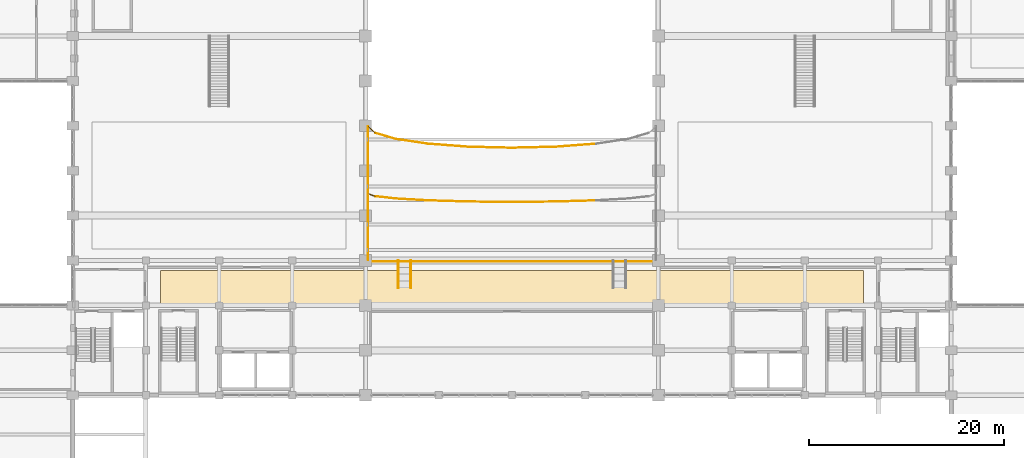
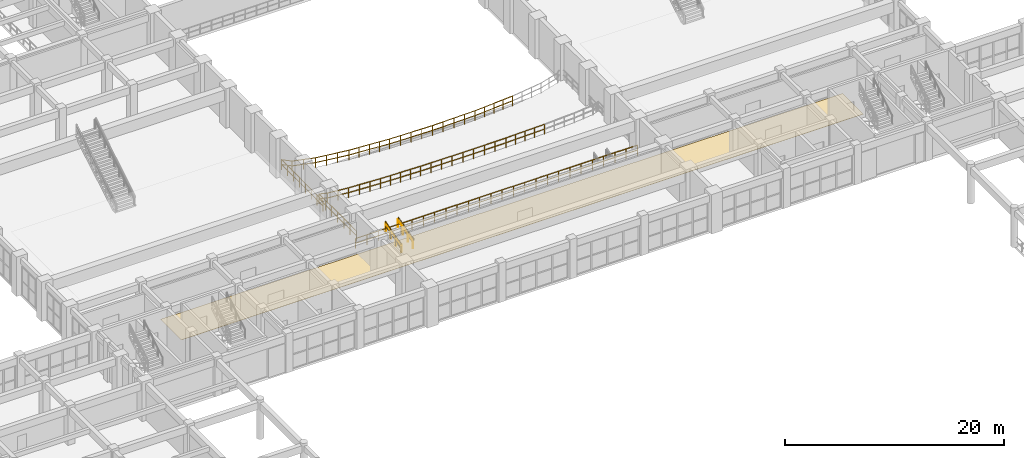
# One storey, part 109 of 116: 21 railings, 1 covering.
"""IFC4 building model written with IfcOpenShell, lengths in metres."""

from ifc_helpers import new_model, si_unit, direction, frame, origin, origin_2d, place, context, subcontext, project, spatial, polyline, circle, outline, extrude, material, layer, layer_set, type_object, element, save


model = new_model("IFC4")

# Units and contexts
model_context = context("Model", 3, precision=1e-05, world=origin(), true_north=direction((0.0, 1.0)))
body_context = subcontext(model_context, "Body", "Model", "MODEL_VIEW")
ifc_project = project(units=[si_unit("LENGTHUNIT", "METRE"), si_unit("AREAUNIT", "SQUARE_METRE"), si_unit("VOLUMEUNIT", "CUBIC_METRE"), si_unit("PLANEANGLEUNIT", "RADIAN"), si_unit("MASSUNIT", "GRAM", prefix="KILO")], contexts=[model_context])

# Site, building, storey
site_placement = place(None, origin())
site = spatial("IfcSite", under=ifc_project, at=site_placement, CompositionType="ELEMENT")
building_placement = place(site_placement, origin())
building = spatial("IfcBuilding", under=site, at=building_placement, Name="Muzn Square Opera House", CompositionType="ELEMENT")
storey_placement = place(building_placement, frame((0.0, 0.0, 5.39990234375)))
storey = spatial("IfcBuildingStorey", under=building, at=storey_placement, Name="L01", CompositionType="ELEMENT", Elevation=5.39990234375)

# Railings
ifc_material_1 = material(Name="Architectural bronze mashrabiya", Category="metal")
railing_type_1 = type_object("IfcRailingType", Name="Bronze Protective Balustrade 1120mm", PredefinedType="BALUSTRADE", material=ifc_material_1)
railing_1_placement = place(storey_placement, frame((73.1298828125, 35.719970703125, 0.0)))
element("IfcRailing", 1, at=railing_1_placement, inside=storey, type_object=railing_type_1, Name="Void Edge Balustrade L01-0009", PredefinedType="BALUSTRADE", context=body_context, shape_type="SweptSolid", body=[
    extrude(circle(Radius=0.02392578125, at=origin_2d()), frame((0.0, 0.0, 1.09619140625), z_axis=(1.0, 0.0, 0.0), x_axis=(0.0, 1.0, 0.0)), (0.0, 0.0, 1.0), 29.740234375),
    extrude(circle(Radius=0.02392578125, at=origin_2d()), frame((0.0, 0.0, 0.56005859375), z_axis=(1.0, 0.0, 0.0), x_axis=(0.0, 1.0, 0.0)), (0.0, 0.0, 1.0), 29.740234375),
    extrude(circle(Radius=0.02099609375, at=origin_2d()), origin(), (0.0, 0.0, 1.0), 1.072021484375),
    extrude(circle(Radius=0.02099609375, at=origin_2d()), frame((1.189697265625, 0.0, 0.0)), (0.0, 0.0, 1.0), 1.072021484375),
    extrude(circle(Radius=0.02099609375, at=origin_2d()), frame((2.379150390625, 0.0, 0.0)), (0.0, 0.0, 1.0), 1.072021484375),
    extrude(circle(Radius=0.02099609375, at=origin_2d()), frame((3.56884765625, 0.0, 0.0)), (0.0, 0.0, 1.0), 1.072021484375),
    extrude(circle(Radius=0.02099609375, at=origin_2d()), frame((4.758544921875, 0.0, 0.0)), (0.0, 0.0, 1.0), 1.072021484375),
    extrude(circle(Radius=0.02099609375, at=origin_2d()), frame((5.947998046875, 0.0, 0.0)), (0.0, 0.0, 1.0), 1.072021484375),
    extrude(circle(Radius=0.02099609375, at=origin_2d()), frame((7.1376953125, 0.0, 0.0)), (0.0, 0.0, 1.0), 1.072021484375),
    extrude(circle(Radius=0.02099609375, at=origin_2d()), frame((8.3271484375, 0.0, 0.0)), (0.0, 0.0, 1.0), 1.072021484375),
    extrude(circle(Radius=0.02099609375, at=origin_2d()), frame((9.516845703125, 0.0, 0.0)), (0.0, 0.0, 1.0), 1.072021484375),
    extrude(circle(Radius=0.02099609375, at=origin_2d()), frame((10.70654296875, 0.0, 0.0)), (0.0, 0.0, 1.0), 1.072021484375),
    extrude(circle(Radius=0.02099609375, at=origin_2d()), frame((11.89599609375, 0.0, 0.0)), (0.0, 0.0, 1.0), 1.072021484375),
    extrude(circle(Radius=0.02099609375, at=origin_2d()), frame((13.085693359375, 0.0, 0.0)), (0.0, 0.0, 1.0), 1.072021484375),
    extrude(circle(Radius=0.02099609375, at=origin_2d()), frame((14.275390625, 0.0, 0.0)), (0.0, 0.0, 1.0), 1.072021484375),
    extrude(circle(Radius=0.02099609375, at=origin_2d()), frame((15.46484375, 0.0, 0.0)), (0.0, 0.0, 1.0), 1.072021484375),
    extrude(circle(Radius=0.02099609375, at=origin_2d()), frame((16.654541015625, 0.0, 0.0)), (0.0, 0.0, 1.0), 1.072021484375),
    extrude(circle(Radius=0.02099609375, at=origin_2d()), frame((17.84423828125, 0.0, 0.0)), (0.0, 0.0, 1.0), 1.072021484375),
    extrude(circle(Radius=0.02099609375, at=origin_2d()), frame((19.03369140625, 0.0, 0.0)), (0.0, 0.0, 1.0), 1.072021484375),
    extrude(circle(Radius=0.02099609375, at=origin_2d()), frame((20.223388671875, 0.0, 0.0)), (0.0, 0.0, 1.0), 1.072021484375),
    extrude(circle(Radius=0.02099609375, at=origin_2d()), frame((21.4130859375, 0.0, 0.0)), (0.0, 0.0, 1.0), 1.072021484375),
    extrude(circle(Radius=0.02099609375, at=origin_2d()), frame((22.6025390625, 0.0, 0.0)), (0.0, 0.0, 1.0), 1.072021484375),
    extrude(circle(Radius=0.02099609375, at=origin_2d()), frame((23.792236328125, 0.0, 0.0)), (0.0, 0.0, 1.0), 1.072021484375),
    extrude(circle(Radius=0.02099609375, at=origin_2d()), frame((24.981689453125, 0.0, 0.0)), (0.0, 0.0, 1.0), 1.072021484375),
    extrude(circle(Radius=0.02099609375, at=origin_2d()), frame((26.17138671875, 0.0, 0.0)), (0.0, 0.0, 1.0), 1.072021484375),
    extrude(circle(Radius=0.02099609375, at=origin_2d()), frame((27.361083984375, 0.0, 0.0)), (0.0, 0.0, 1.0), 1.072021484375),
    extrude(circle(Radius=0.02099609375, at=origin_2d()), frame((28.550537109375, 0.0, 0.0)), (0.0, 0.0, 1.0), 1.072021484375),
    extrude(circle(Radius=0.02099609375, at=origin_2d()), frame((29.740234375, 0.0, 0.0)), (0.0, 0.0, 1.0), 1.072021484375),
])
railing_2_placement = place(storey_placement, frame((96.63330078125, 41.952392578125, 0.72021484375)))
element("IfcRailing", 2, at=railing_2_placement, inside=storey, type_object=railing_type_1, Name="Auditorium Balcony Tier Front Balustrade L01-0099", PredefinedType="BALUSTRADE", context=body_context, shape_type="SweptSolid", body=[
    extrude(circle(Radius=0.02392578125, at=origin_2d()), frame((0.0, 0.0, 1.09619140625), z_axis=(-0.999570665648, -0.029299904038, 0.0), x_axis=(0.029299904038, -0.999570665648, 0.0)), (0.0, 0.0, 1.0), 4.12451171875),
    extrude(circle(Radius=0.02392578125, at=origin_2d()), frame((0.0, 0.0, 0.56005859375), z_axis=(-0.999570665648, -0.029299904038, 0.0), x_axis=(0.029299904038, -0.999570665648, 0.0)), (0.0, 0.0, 1.0), 4.12451171875),
    extrude(circle(Radius=0.02099609375, at=origin_2d()), origin(), (0.0, 0.0, 1.0), 1.072021484375),
    extrude(circle(Radius=0.02099609375, at=origin_2d()), frame((-1.03076171875, -0.0302734375, 0.0)), (0.0, 0.0, 1.0), 1.072021484375),
    extrude(circle(Radius=0.02099609375, at=origin_2d()), frame((-2.0615234375, -0.060546875, 0.0)), (0.0, 0.0, 1.0), 1.072021484375),
    extrude(circle(Radius=0.02099609375, at=origin_2d()), frame((-3.092041015625, -0.090576171875, 0.0)), (0.0, 0.0, 1.0), 1.072021484375),
    extrude(circle(Radius=0.02099609375, at=origin_2d()), frame((-4.122802734375, -0.120849609375, 0.0)), (0.0, 0.0, 1.0), 1.072021484375),
])
railing_3_placement = place(storey_placement, frame((92.510498046875, 41.83154296875, 0.72021484375)))
element("IfcRailing", 3, at=railing_3_placement, inside=storey, type_object=railing_type_1, Name="Auditorium Balcony Tier Front Balustrade L01-0100", PredefinedType="BALUSTRADE", context=body_context, shape_type="SweptSolid", body=[
    extrude(circle(Radius=0.02392578125, at=origin_2d()), frame((0.0, 0.0, 1.09619140625), z_axis=(-0.999958772889, -0.009080337129, 0.0), x_axis=(0.009080337129, -0.999958772889, 0.0)), (0.0, 0.0, 1.0), 4.57080078125),
    extrude(circle(Radius=0.02392578125, at=origin_2d()), frame((0.0, 0.0, 0.56005859375), z_axis=(-0.999958772889, -0.009080337129, 0.0), x_axis=(0.009080337129, -0.999958772889, 0.0)), (0.0, 0.0, 1.0), 4.57080078125),
    extrude(circle(Radius=0.02099609375, at=origin_2d()), origin(), (0.0, 0.0, 1.0), 1.072021484375),
    extrude(circle(Radius=0.02099609375, at=origin_2d()), frame((-1.142578125, -0.01025390625, 0.0)), (0.0, 0.0, 1.0), 1.072021484375),
    extrude(circle(Radius=0.02099609375, at=origin_2d()), frame((-2.28515625, -0.020751953125, 0.0)), (0.0, 0.0, 1.0), 1.072021484375),
    extrude(circle(Radius=0.02099609375, at=origin_2d()), frame((-3.427978515625, -0.03125, 0.0)), (0.0, 0.0, 1.0), 1.072021484375),
    extrude(circle(Radius=0.02099609375, at=origin_2d()), frame((-4.570556640625, -0.04150390625, 0.0)), (0.0, 0.0, 1.0), 1.072021484375),
])
railing_4_placement = place(storey_placement, frame((87.93994140625, 41.7900390625, 0.72021484375)))
element("IfcRailing", 4, at=railing_4_placement, inside=storey, type_object=railing_type_1, Name="Auditorium Balcony Tier Front Balustrade L01-0101", PredefinedType="BALUSTRADE", context=body_context, shape_type="SweptSolid", body=[
    extrude(circle(Radius=0.02392578125, at=origin_2d()), frame((0.0, 0.0, 1.09619140625), z_axis=(-0.999956517568, 0.009325394042, 0.0), x_axis=(-0.009325394042, -0.999956517568, 0.0)), (0.0, 0.0, 1.0), 4.45068359375),
    extrude(circle(Radius=0.02392578125, at=origin_2d()), frame((0.0, 0.0, 0.56005859375), z_axis=(-0.999956517568, 0.009325394042, 0.0), x_axis=(-0.009325394042, -0.999956517568, 0.0)), (0.0, 0.0, 1.0), 4.45068359375),
    extrude(circle(Radius=0.02099609375, at=origin_2d()), origin(), (0.0, 0.0, 1.0), 1.072021484375),
    extrude(circle(Radius=0.02099609375, at=origin_2d()), frame((-1.112548828125, 0.01025390625, 0.0)), (0.0, 0.0, 1.0), 1.072021484375),
    extrude(circle(Radius=0.02099609375, at=origin_2d()), frame((-2.22509765625, 0.020751953125, 0.0)), (0.0, 0.0, 1.0), 1.072021484375),
    extrude(circle(Radius=0.02099609375, at=origin_2d()), frame((-3.337890625, 0.03125, 0.0)), (0.0, 0.0, 1.0), 1.072021484375),
    extrude(circle(Radius=0.02099609375, at=origin_2d()), frame((-4.450439453125, 0.04150390625, 0.0)), (0.0, 0.0, 1.0), 1.072021484375),
])
railing_5_placement = place(storey_placement, frame((83.489501953125, 41.83154296875, 0.72021484375)))
element("IfcRailing", 5, at=railing_5_placement, inside=storey, type_object=railing_type_1, Name="Auditorium Balcony Tier Front Balustrade L01-0102", PredefinedType="BALUSTRADE", context=body_context, shape_type="SweptSolid", body=[
    extrude(circle(Radius=0.02392578125, at=origin_2d()), frame((0.0, 0.0, 1.09619140625), z_axis=(-0.999570665648, 0.029299904038, 0.0), x_axis=(-0.029299904038, -0.999570665648, 0.0)), (0.0, 0.0, 1.0), 4.12451171875),
    extrude(circle(Radius=0.02392578125, at=origin_2d()), frame((0.0, 0.0, 0.56005859375), z_axis=(-0.999570665648, 0.029299904038, 0.0), x_axis=(-0.029299904038, -0.999570665648, 0.0)), (0.0, 0.0, 1.0), 4.12451171875),
    extrude(circle(Radius=0.02099609375, at=origin_2d()), origin(), (0.0, 0.0, 1.0), 1.072021484375),
    extrude(circle(Radius=0.02099609375, at=origin_2d()), frame((-1.03076171875, 0.0302734375, 0.0)), (0.0, 0.0, 1.0), 1.072021484375),
    extrude(circle(Radius=0.02099609375, at=origin_2d()), frame((-2.0615234375, 0.060546875, 0.0)), (0.0, 0.0, 1.0), 1.072021484375),
    extrude(circle(Radius=0.02099609375, at=origin_2d()), frame((-3.092041015625, 0.090576171875, 0.0)), (0.0, 0.0, 1.0), 1.072021484375),
    extrude(circle(Radius=0.02099609375, at=origin_2d()), frame((-4.122802734375, 0.120849609375, 0.0)), (0.0, 0.0, 1.0), 1.072021484375),
])
railing_6_placement = place(storey_placement, frame((79.36669921875, 41.952392578125, 0.72021484375)))
element("IfcRailing", 6, at=railing_6_placement, inside=storey, type_object=railing_type_1, Name="Auditorium Balcony Tier Front Balustrade L01-0103", PredefinedType="BALUSTRADE", context=body_context, shape_type="SweptSolid", body=[
    extrude(circle(Radius=0.02392578125, at=origin_2d()), frame((0.0, 0.0, 1.09619140625), z_axis=(-0.998353832564, 0.057355252636, 0.0), x_axis=(-0.057355252636, -0.998353832564, 0.0)), (0.0, 0.0, 1.0), 3.277587890625),
    extrude(circle(Radius=0.02392578125, at=origin_2d()), frame((0.0, 0.0, 0.56005859375), z_axis=(-0.998353832564, 0.057355252636, 0.0), x_axis=(-0.057355252636, -0.998353832564, 0.0)), (0.0, 0.0, 1.0), 3.277587890625),
    extrude(circle(Radius=0.02099609375, at=origin_2d()), origin(), (0.0, 0.0, 1.0), 1.072021484375),
    extrude(circle(Radius=0.02099609375, at=origin_2d()), frame((-1.0908203125, 0.062744140625, 0.0)), (0.0, 0.0, 1.0), 1.072021484375),
    extrude(circle(Radius=0.02099609375, at=origin_2d()), frame((-2.181396484375, 0.125244140625, 0.0)), (0.0, 0.0, 1.0), 1.072021484375),
    extrude(circle(Radius=0.02099609375, at=origin_2d()), frame((-3.272216796875, 0.18798828125, 0.0)), (0.0, 0.0, 1.0), 1.072021484375),
])
railing_7_placement = place(storey_placement, frame((76.094482421875, 42.140380859375, 0.72021484375)))
element("IfcRailing", 7, at=railing_7_placement, inside=storey, type_object=railing_type_1, Name="Auditorium Balcony Tier Front Balustrade L01-0104", PredefinedType="BALUSTRADE", context=body_context, shape_type="SweptSolid", body=[
    extrude(circle(Radius=0.02392578125, at=origin_2d()), frame((0.0, 0.0, 1.09619140625), z_axis=(-0.99370498589, 0.112028572328, 0.0), x_axis=(-0.112028572328, -0.99370498589, 0.0)), (0.0, 0.0, 1.0), 2.114013671875),
    extrude(circle(Radius=0.02392578125, at=origin_2d()), frame((0.0, 0.0, 0.56005859375), z_axis=(-0.99370498589, 0.112028572328, 0.0), x_axis=(-0.112028572328, -0.99370498589, 0.0)), (0.0, 0.0, 1.0), 2.114013671875),
    extrude(circle(Radius=0.02099609375, at=origin_2d()), origin(), (0.0, 0.0, 1.0), 1.072021484375),
    extrude(circle(Radius=0.02099609375, at=origin_2d()), frame((-1.05029296875, 0.118408203125, 0.0)), (0.0, 0.0, 1.0), 1.072021484375),
    extrude(circle(Radius=0.02099609375, at=origin_2d()), frame((-2.1005859375, 0.23681640625, 0.0)), (0.0, 0.0, 1.0), 1.072021484375),
])
railing_8_placement = place(storey_placement, frame((73.993896484375, 42.377197265625, 0.72021484375)))
element("IfcRailing", 8, at=railing_8_placement, inside=storey, type_object=railing_type_1, Name="Auditorium Balcony Tier Front Balustrade L01-0105", PredefinedType="BALUSTRADE", context=body_context, shape_type="SweptSolid", body=[
    extrude(circle(Radius=0.02392578125, at=origin_2d()), frame((0.0, 0.0, 1.09619140625), z_axis=(-0.940015382387, 0.341132057824, 0.0), x_axis=(-0.341132057824, -0.940015382387, 0.0)), (0.0, 0.0, 1.0), 0.77001953125),
    extrude(circle(Radius=0.02392578125, at=origin_2d()), frame((0.0, 0.0, 0.56005859375), z_axis=(-0.940015382387, 0.341132057824, 0.0), x_axis=(-0.341132057824, -0.940015382387, 0.0)), (0.0, 0.0, 1.0), 0.77001953125),
    extrude(circle(Radius=0.02099609375, at=origin_2d()), origin(), (0.0, 0.0, 1.0), 1.072021484375),
    extrude(circle(Radius=0.02099609375, at=origin_2d()), frame((-0.723876953125, 0.2626953125, 0.0)), (0.0, 0.0, 1.0), 1.072021484375),
])
railing_9_placement = place(storey_placement, frame((73.27001953125, 42.639892578125, 0.72021484375)))
element("IfcRailing", 9, at=railing_9_placement, inside=storey, type_object=railing_type_1, Name="Auditorium Balcony Tier Front Balustrade L01-0106", PredefinedType="BALUSTRADE", context=body_context, shape_type="SweptSolid", body=[
    extrude(circle(Radius=0.02392578125, at=origin_2d()), frame((0.0, 0.0, 1.09619140625), z_axis=(0.0, -1.0, 0.0), x_axis=(1.0, 0.0, 0.0)), (0.0, 0.0, 1.0), 6.77978515625),
    extrude(circle(Radius=0.02392578125, at=origin_2d()), frame((0.0, 0.0, 0.56005859375), z_axis=(0.0, -1.0, 0.0), x_axis=(1.0, 0.0, 0.0)), (0.0, 0.0, 1.0), 6.77978515625),
    extrude(circle(Radius=0.02099609375, at=origin_2d()), origin(), (0.0, 0.0, 1.0), 1.072021484375),
    extrude(circle(Radius=0.02099609375, at=origin_2d()), frame((0.0, -1.1298828125, 0.0)), (0.0, 0.0, 1.0), 1.072021484375),
    extrude(circle(Radius=0.02099609375, at=origin_2d()), frame((0.0, -2.260009765625, 0.0)), (0.0, 0.0, 1.0), 1.072021484375),
    extrude(circle(Radius=0.02099609375, at=origin_2d()), frame((0.0, -3.389892578125, 0.0)), (0.0, 0.0, 1.0), 1.072021484375),
    extrude(circle(Radius=0.02099609375, at=origin_2d()), frame((0.0, -4.519775390625, 0.0)), (0.0, 0.0, 1.0), 1.072021484375),
    extrude(circle(Radius=0.02099609375, at=origin_2d()), frame((0.0, -5.64990234375, 0.0)), (0.0, 0.0, 1.0), 1.072021484375),
    extrude(circle(Radius=0.02099609375, at=origin_2d()), frame((0.0, -6.77978515625, 0.0)), (0.0, 0.0, 1.0), 1.072021484375),
])
railing_10_placement = place(storey_placement, frame((96.63330078125, 47.76025390625, 0.360107421875)))
element("IfcRailing", 10, at=railing_10_placement, inside=storey, type_object=railing_type_1, Name="Auditorium Balcony Tier Front Balustrade L01-0111", PredefinedType="BALUSTRADE", context=body_context, shape_type="SweptSolid", body=[
    extrude(circle(Radius=0.02392578125, at=origin_2d()), frame((0.0, 0.0, 1.09619140625), z_axis=(-0.997139654641, -0.075581142769, 0.0), x_axis=(0.075581142769, -0.997139654641, 0.0)), (0.0, 0.0, 1.0), 4.134521484375),
    extrude(circle(Radius=0.02392578125, at=origin_2d()), frame((0.0, 0.0, 0.56005859375), z_axis=(-0.997139654641, -0.075581142769, 0.0), x_axis=(0.075581142769, -0.997139654641, 0.0)), (0.0, 0.0, 1.0), 4.134521484375),
    extrude(circle(Radius=0.02099609375, at=origin_2d()), origin(), (0.0, 0.0, 1.0), 1.072021484375),
    extrude(circle(Radius=0.02099609375, at=origin_2d()), frame((-1.03076171875, -0.078125, 0.0)), (0.0, 0.0, 1.0), 1.072021484375),
    extrude(circle(Radius=0.02099609375, at=origin_2d()), frame((-2.0615234375, -0.15625, 0.0)), (0.0, 0.0, 1.0), 1.072021484375),
    extrude(circle(Radius=0.02099609375, at=origin_2d()), frame((-3.092041015625, -0.234375, 0.0)), (0.0, 0.0, 1.0), 1.072021484375),
    extrude(circle(Radius=0.02099609375, at=origin_2d()), frame((-4.122802734375, -0.3125, 0.0)), (0.0, 0.0, 1.0), 1.072021484375),
])
railing_11_placement = place(storey_placement, frame((92.510498046875, 47.44775390625, 0.360107421875)))
element("IfcRailing", 11, at=railing_11_placement, inside=storey, type_object=railing_type_1, Name="Auditorium Balcony Tier Front Balustrade L01-0112", PredefinedType="BALUSTRADE", context=body_context, shape_type="SweptSolid", body=[
    extrude(circle(Radius=0.02392578125, at=origin_2d()), frame((0.0, 0.0, 1.09619140625), z_axis=(-0.999722662626, -0.023549900872, 0.0), x_axis=(0.023549900872, -0.999722662626, 0.0)), (0.0, 0.0, 1.0), 4.57177734375),
    extrude(circle(Radius=0.02392578125, at=origin_2d()), frame((0.0, 0.0, 0.56005859375), z_axis=(-0.999722662626, -0.023549900872, 0.0), x_axis=(0.023549900872, -0.999722662626, 0.0)), (0.0, 0.0, 1.0), 4.57177734375),
    extrude(circle(Radius=0.02099609375, at=origin_2d()), origin(), (0.0, 0.0, 1.0), 1.072021484375),
    extrude(circle(Radius=0.02099609375, at=origin_2d()), frame((-1.142578125, -0.02685546875, 0.0)), (0.0, 0.0, 1.0), 1.072021484375),
    extrude(circle(Radius=0.02099609375, at=origin_2d()), frame((-2.28515625, -0.0537109375, 0.0)), (0.0, 0.0, 1.0), 1.072021484375),
    extrude(circle(Radius=0.02099609375, at=origin_2d()), frame((-3.427978515625, -0.080810546875, 0.0)), (0.0, 0.0, 1.0), 1.072021484375),
    extrude(circle(Radius=0.02099609375, at=origin_2d()), frame((-4.570556640625, -0.107666015625, 0.0)), (0.0, 0.0, 1.0), 1.072021484375),
])
railing_12_placement = place(storey_placement, frame((87.93994140625, 47.340087890625, 0.360107421875)))
element("IfcRailing", 12, at=railing_12_placement, inside=storey, type_object=railing_type_1, Name="Auditorium Balcony Tier Front Balustrade L01-0113", PredefinedType="BALUSTRADE", context=body_context, shape_type="SweptSolid", body=[
    extrude(circle(Radius=0.02392578125, at=origin_2d()), frame((0.0, 0.0, 1.09619140625), z_axis=(-0.999707496604, 0.024185144879, 0.0), x_axis=(-0.024185144879, -0.999707496604, 0.0)), (0.0, 0.0, 1.0), 4.45166015625),
    extrude(circle(Radius=0.02392578125, at=origin_2d()), frame((0.0, 0.0, 0.56005859375), z_axis=(-0.999707496604, 0.024185144879, 0.0), x_axis=(-0.024185144879, -0.999707496604, 0.0)), (0.0, 0.0, 1.0), 4.45166015625),
    extrude(circle(Radius=0.02099609375, at=origin_2d()), origin(), (0.0, 0.0, 1.0), 1.072021484375),
    extrude(circle(Radius=0.02099609375, at=origin_2d()), frame((-1.112548828125, 0.02685546875, 0.0)), (0.0, 0.0, 1.0), 1.072021484375),
    extrude(circle(Radius=0.02099609375, at=origin_2d()), frame((-2.22509765625, 0.0537109375, 0.0)), (0.0, 0.0, 1.0), 1.072021484375),
    extrude(circle(Radius=0.02099609375, at=origin_2d()), frame((-3.337890625, 0.080810546875, 0.0)), (0.0, 0.0, 1.0), 1.072021484375),
    extrude(circle(Radius=0.02099609375, at=origin_2d()), frame((-4.450439453125, 0.107666015625, 0.0)), (0.0, 0.0, 1.0), 1.072021484375),
])
railing_13_placement = place(storey_placement, frame((83.489501953125, 47.44775390625, 0.360107421875)))
element("IfcRailing", 13, at=railing_13_placement, inside=storey, type_object=railing_type_1, Name="Auditorium Balcony Tier Front Balustrade L01-0114", PredefinedType="BALUSTRADE", context=body_context, shape_type="SweptSolid", body=[
    extrude(circle(Radius=0.02392578125, at=origin_2d()), frame((0.0, 0.0, 1.09619140625), z_axis=(-0.997139654641, 0.075581142769, 0.0), x_axis=(-0.075581142769, -0.997139654641, 0.0)), (0.0, 0.0, 1.0), 4.134521484375),
    extrude(circle(Radius=0.02392578125, at=origin_2d()), frame((0.0, 0.0, 0.56005859375), z_axis=(-0.997139654641, 0.075581142769, 0.0), x_axis=(-0.075581142769, -0.997139654641, 0.0)), (0.0, 0.0, 1.0), 4.134521484375),
    extrude(circle(Radius=0.02099609375, at=origin_2d()), origin(), (0.0, 0.0, 1.0), 1.072021484375),
    extrude(circle(Radius=0.02099609375, at=origin_2d()), frame((-1.03076171875, 0.078125, 0.0)), (0.0, 0.0, 1.0), 1.072021484375),
    extrude(circle(Radius=0.02099609375, at=origin_2d()), frame((-2.0615234375, 0.15625, 0.0)), (0.0, 0.0, 1.0), 1.072021484375),
    extrude(circle(Radius=0.02099609375, at=origin_2d()), frame((-3.092041015625, 0.234375, 0.0)), (0.0, 0.0, 1.0), 1.072021484375),
    extrude(circle(Radius=0.02099609375, at=origin_2d()), frame((-4.122802734375, 0.3125, 0.0)), (0.0, 0.0, 1.0), 1.072021484375),
])
railing_14_placement = place(storey_placement, frame((79.36669921875, 47.76025390625, 0.360107421875)))
element("IfcRailing", 14, at=railing_14_placement, inside=storey, type_object=railing_type_1, Name="Auditorium Balcony Tier Front Balustrade L01-0115", PredefinedType="BALUSTRADE", context=body_context, shape_type="SweptSolid", body=[
    extrude(circle(Radius=0.02392578125, at=origin_2d()), frame((0.0, 0.0, 1.09619140625), z_axis=(-0.989124468436, 0.147080882309, 0.0), x_axis=(-0.147080882309, -0.989124468436, 0.0)), (0.0, 0.0, 1.0), 3.30810546875),
    extrude(circle(Radius=0.02392578125, at=origin_2d()), frame((0.0, 0.0, 0.56005859375), z_axis=(-0.989124468436, 0.147080882309, 0.0), x_axis=(-0.147080882309, -0.989124468436, 0.0)), (0.0, 0.0, 1.0), 3.30810546875),
    extrude(circle(Radius=0.02099609375, at=origin_2d()), origin(), (0.0, 0.0, 1.0), 1.072021484375),
    extrude(circle(Radius=0.02099609375, at=origin_2d()), frame((-1.0908203125, 0.162109375, 0.0)), (0.0, 0.0, 1.0), 1.072021484375),
    extrude(circle(Radius=0.02099609375, at=origin_2d()), frame((-2.181396484375, 0.324462890625, 0.0)), (0.0, 0.0, 1.0), 1.072021484375),
    extrude(circle(Radius=0.02099609375, at=origin_2d()), frame((-3.272216796875, 0.486572265625, 0.0)), (0.0, 0.0, 1.0), 1.072021484375),
])
railing_15_placement = place(storey_placement, frame((76.094482421875, 48.246826171875, 0.360107421875)))
element("IfcRailing", 15, at=railing_15_placement, inside=storey, type_object=railing_type_1, Name="Auditorium Balcony Tier Front Balustrade L01-0116", PredefinedType="BALUSTRADE", context=body_context, shape_type="SweptSolid", body=[
    extrude(circle(Radius=0.02392578125, at=origin_2d()), frame((0.0, 0.0, 1.09619140625), z_axis=(-0.959924992365, 0.280257041007, 0.0), x_axis=(-0.280257041007, -0.959924992365, 0.0)), (0.0, 0.0, 1.0), 2.188232421875),
    extrude(circle(Radius=0.02392578125, at=origin_2d()), frame((0.0, 0.0, 0.56005859375), z_axis=(-0.959924992365, 0.280257041007, 0.0), x_axis=(-0.280257041007, -0.959924992365, 0.0)), (0.0, 0.0, 1.0), 2.188232421875),
    extrude(circle(Radius=0.02099609375, at=origin_2d()), origin(), (0.0, 0.0, 1.0), 1.072021484375),
    extrude(circle(Radius=0.02099609375, at=origin_2d()), frame((-1.05029296875, 0.306640625, 0.0)), (0.0, 0.0, 1.0), 1.072021484375),
    extrude(circle(Radius=0.02099609375, at=origin_2d()), frame((-2.1005859375, 0.61328125, 0.0)), (0.0, 0.0, 1.0), 1.072021484375),
])
railing_16_placement = place(storey_placement, frame((73.993896484375, 48.860107421875, 0.360107421875)))
element("IfcRailing", 16, at=railing_16_placement, inside=storey, type_object=railing_type_1, Name="Auditorium Balcony Tier Front Balustrade L01-0117", PredefinedType="BALUSTRADE", context=body_context, shape_type="SweptSolid", body=[
    extrude(circle(Radius=0.02392578125, at=origin_2d()), frame((0.0, 0.0, 1.09619140625), z_axis=(-0.728885245276, 0.684635888059, 0.0), x_axis=(-0.684635888059, -0.728885245276, 0.0)), (0.0, 0.0, 1.0), 0.9931640625),
    extrude(circle(Radius=0.02392578125, at=origin_2d()), frame((0.0, 0.0, 0.56005859375), z_axis=(-0.728885245276, 0.684635888059, 0.0), x_axis=(-0.684635888059, -0.728885245276, 0.0)), (0.0, 0.0, 1.0), 0.9931640625),
    extrude(circle(Radius=0.02099609375, at=origin_2d()), origin(), (0.0, 0.0, 1.0), 1.072021484375),
    extrude(circle(Radius=0.02099609375, at=origin_2d()), frame((-0.723876953125, 0.679931640625, 0.0)), (0.0, 0.0, 1.0), 1.072021484375),
])
railing_17_placement = place(storey_placement, frame((73.27001953125, 49.5400390625, 0.360107421875)))
element("IfcRailing", 17, at=railing_17_placement, inside=storey, type_object=railing_type_1, Name="Auditorium Balcony Tier Front Balustrade L01-0118", PredefinedType="BALUSTRADE", context=body_context, shape_type="SweptSolid", body=[
    extrude(circle(Radius=0.02392578125, at=origin_2d()), frame((0.0, 0.0, 1.09619140625), z_axis=(0.0, -1.0, 0.0), x_axis=(1.0, 0.0, 0.0)), (0.0, 0.0, 1.0), 7.630126953125),
    extrude(circle(Radius=0.02392578125, at=origin_2d()), frame((0.0, 0.0, 0.56005859375), z_axis=(0.0, -1.0, 0.0), x_axis=(1.0, 0.0, 0.0)), (0.0, 0.0, 1.0), 7.630126953125),
    extrude(circle(Radius=0.02099609375, at=origin_2d()), origin(), (0.0, 0.0, 1.0), 1.072021484375),
    extrude(circle(Radius=0.02099609375, at=origin_2d()), frame((0.0, -1.090087890625, 0.0)), (0.0, 0.0, 1.0), 1.072021484375),
    extrude(circle(Radius=0.02099609375, at=origin_2d()), frame((0.0, -2.179931640625, 0.0)), (0.0, 0.0, 1.0), 1.072021484375),
    extrude(circle(Radius=0.02099609375, at=origin_2d()), frame((0.0, -3.27001953125, 0.0)), (0.0, 0.0, 1.0), 1.072021484375),
    extrude(circle(Radius=0.02099609375, at=origin_2d()), frame((0.0, -4.360107421875, 0.0)), (0.0, 0.0, 1.0), 1.072021484375),
    extrude(circle(Radius=0.02099609375, at=origin_2d()), frame((0.0, -5.4501953125, 0.0)), (0.0, 0.0, 1.0), 1.072021484375),
    extrude(circle(Radius=0.02099609375, at=origin_2d()), frame((0.0, -6.5400390625, 0.0)), (0.0, 0.0, 1.0), 1.072021484375),
    extrude(circle(Radius=0.02099609375, at=origin_2d()), frame((0.0, -7.630126953125, 0.0)), (0.0, 0.0, 1.0), 1.072021484375),
])

# Covering
ifc_material_2 = material(Name="Polished limestone terrazzo", Category="stone")
ifc_layer = layer(ifc_material_2, 0.030029296875, Name="Polished limestone terrazzo", Category="stone")
ifc_layer_set = layer_set([ifc_layer], Name="Polished limestone terrazzo")
covering_type = type_object("IfcCoveringType", Name="Polished Terrazzo Promenade Flooring", PredefinedType="FLOORING", material=ifc_layer_set)
covering_placement = place(storey_placement, origin())
element("IfcCovering", 18, at=covering_placement, inside=storey, type_object=covering_type, Name="Dress Circle Promenade Terrazzo Flooring", PredefinedType="FLOORING", context=body_context, shape_type="SweptSolid", body=[
    extrude(outline(polyline([(52.0, 31.0), (124.0, 31.0), (124.0, 34.800048828125), (52.0, 34.800048828125), (52.0, 31.0)])), origin(), (0.0, 0.0, 1.0), 0.030029296875),
])

# Railings
ifc_material_3 = material(Name="Brushed stainless steel", Category="metal")
railing_type_2 = type_object("IfcRailingType", Name="Stair Guard Railing 1120mm", PredefinedType="GUARDRAIL", material=ifc_material_3)
for number, where, name in (
    (19, (76.320068359375, 33.0, 0.0), "Vomitory Stair Guard VS-05-L"),
    (20, (77.679931640625, 33.0, 0.0), "Vomitory Stair Guard VS-05-R"),
):
    element("IfcRailing", number, at=place(storey_placement, frame(where)), inside=storey, type_object=railing_type_2, Name=name, PredefinedType="GUARDRAIL", context=body_context, shape_type="SweptSolid", body=[
        extrude(circle(Radius=0.02392578125, at=origin_2d()), frame((0.0, 0.0, 1.09619140625), z_axis=(0.0, 0.968476054717, 0.24910666679), x_axis=(-1.0, 0.0, 0.0)), (0.0, 0.0, 1.0), 2.89111328125),
        extrude(circle(Radius=0.02392578125, at=origin_2d()), frame((0.0, 0.0, 0.56005859375), z_axis=(0.0, 0.968476054717, 0.24910666679), x_axis=(-1.0, 0.0, 0.0)), (0.0, 0.0, 1.0), 2.89111328125),
        extrude(circle(Radius=0.02099609375, at=origin_2d()), origin(), (0.0, 0.0, 1.0), 1.072021484375),
        extrude(circle(Radius=0.02099609375, at=origin_2d()), frame((0.0, 0.933349609375, 0.239990234375)), (0.0, 0.0, 1.0), 1.072021484375),
        extrude(circle(Radius=0.02099609375, at=origin_2d()), frame((0.0, 1.86669921875, 0.480224609375)), (0.0, 0.0, 1.0), 1.072021484375),
        extrude(circle(Radius=0.02099609375, at=origin_2d()), frame((0.0, 2.800048828125, 0.72021484375)), (0.0, 0.0, 1.0), 1.072021484375),
    ])
railing_type_3 = type_object("IfcRailingType", Name="Stair Pitch Handrail 900mm", PredefinedType="HANDRAIL", material=ifc_material_3)
for number, where, name in (
    (21, (76.37451171875, 33.0, 0.0), "Vomitory Stair Handrail VS-05-L"),
    (22, (77.62548828125, 33.0, 0.0), "Vomitory Stair Handrail VS-05-R"),
):
    element("IfcRailing", number, at=place(storey_placement, frame(where)), inside=storey, type_object=railing_type_3, Name=name, PredefinedType="HANDRAIL", context=body_context, shape_type="SweptSolid", body=[
        extrude(circle(Radius=0.02392578125, at=origin_2d()), frame((0.0, 0.0, 0.8759765625), z_axis=(0.0, 0.968476054717, 0.24910666679), x_axis=(-1.0, 0.0, 0.0)), (0.0, 0.0, 1.0), 2.89111328125),
        extrude(circle(Radius=0.02099609375, at=origin_2d()), origin(), (0.0, 0.0, 1.0), 0.851806640625),
        extrude(circle(Radius=0.02099609375, at=origin_2d()), frame((0.0, 0.933349609375, 0.239990234375)), (0.0, 0.0, 1.0), 0.851806640625),
        extrude(circle(Radius=0.02099609375, at=origin_2d()), frame((0.0, 1.86669921875, 0.480224609375)), (0.0, 0.0, 1.0), 0.851806640625),
        extrude(circle(Radius=0.02099609375, at=origin_2d()), frame((0.0, 2.800048828125, 0.72021484375)), (0.0, 0.0, 1.0), 0.851806640625),
    ])

save(model, "model.ifc")
